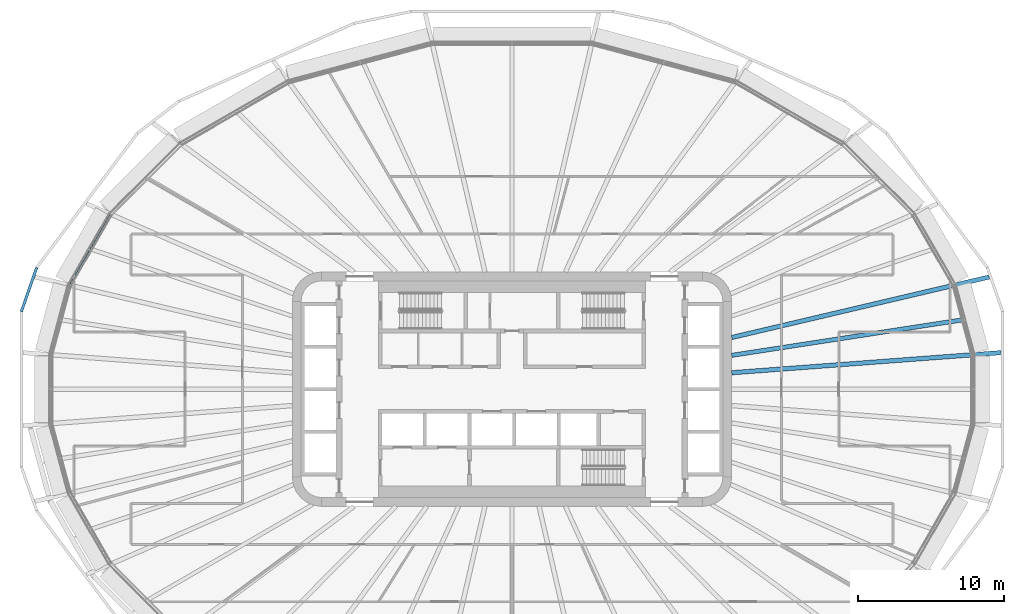
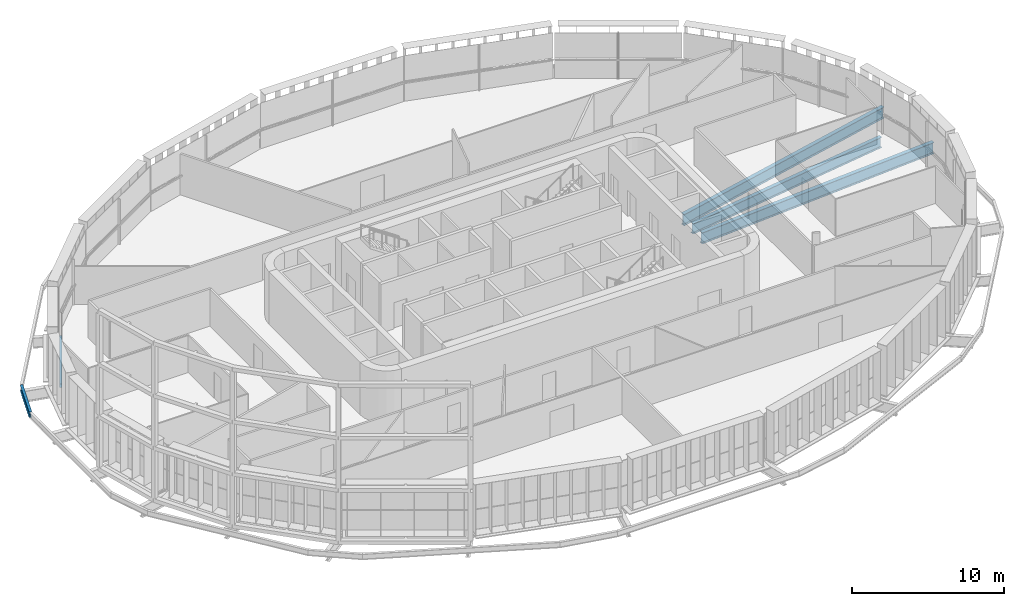
# One storey, part 6 of 25: 5 beams.
"""IFC4 building model written with IfcOpenShell, lengths in metres."""

from ifc_helpers import new_model, si_unit, direction, frame, origin, origin_2d, place, context, subcontext, project, spatial, i_section, extrude, material, material_profile, profile_set, type_object, element, save


model = new_model("IFC4")

# Units and contexts
model_context = context("Model", 3, precision=1e-05, world=origin(), true_north=direction((0.0, 1.0)))
body_context = subcontext(model_context, "Body", "Model", "MODEL_VIEW")
ifc_project = project(units=[si_unit("LENGTHUNIT", "METRE"), si_unit("AREAUNIT", "SQUARE_METRE"), si_unit("VOLUMEUNIT", "CUBIC_METRE"), si_unit("PLANEANGLEUNIT", "RADIAN"), si_unit("MASSUNIT", "GRAM", prefix="KILO")], contexts=[model_context])

# Site, building, storey
site_placement = place(None, origin())
site = spatial("IfcSite", under=ifc_project, at=site_placement, CompositionType="ELEMENT")
building_placement = place(site_placement, origin())
building = spatial("IfcBuilding", under=site, at=building_placement, Name="Sahrelin Media Tower", CompositionType="ELEMENT")
storey_placement = place(building_placement, frame((0.0, 0.0, 135.60009765625)))
storey = spatial("IfcBuildingStorey", under=building, at=storey_placement, Name="L27", CompositionType="ELEMENT", Elevation=135.60009765625)

# Beams
ifc_material = material(Name="Steel S355", Category="steel")
ifc_material_profile_1 = material_profile(ifc_material, i_section(OverallWidth=0.1650390625, OverallDepth=0.303466796875, WebThickness=0.006103515625, FlangeThickness=0.01025390625, FilletRadius=0.0087890625, at=origin_2d()), Name="UB 305x165x40")
ifc_profile_set_1 = profile_set([ifc_material_profile_1], Name="Steel S355")
beam_type_1 = type_object("IfcBeamType", Name="Edge beam EB2", PredefinedType="BEAM", material=ifc_profile_set_1)
beam_1_placement = place(storey_placement, frame((-30.15478515625, 7.07861328125, -0.3017578125), z_axis=(0.500036242679, 0.866004478053, 0.0), x_axis=(-0.866004478053, 0.500036242679, 0.0)))
element("IfcBeam", 1, at=beam_1_placement, inside=storey, type_object=beam_type_1, Name="Edge beam L27-15", PredefinedType="BEAM", context=body_context, shape_type="SweptSolid", body=[
    extrude(i_section(OverallWidth=0.1650390625, OverallDepth=0.303466796875, WebThickness=0.006103515625, FlangeThickness=0.01025390625, FilletRadius=0.0087890625, at=origin_2d()), origin(), (0.0, 0.0, 1.0), 5.544921875),
])
ifc_material_profile_2 = material_profile(ifc_material, i_section(OverallWidth=0.30322265625, OverallDepth=0.903076171875, WebThickness=0.01513671875, FlangeThickness=0.020263671875, FilletRadius=0.01904296875, at=origin_2d()), Name="UB 914x305x201")
ifc_profile_set_2 = profile_set([ifc_material_profile_2], Name="Steel S355")
beam_type_2 = type_object("IfcBeamType", Name="Radial primary beam PB11", PredefinedType="BEAM", material=ifc_profile_set_2)
beam_2_placement = place(storey_placement, frame((15.0, 1.120361328125, -0.6015625), z_axis=(0.997223267911, 0.074469818961, 0.0), x_axis=(-0.074469818961, 0.997223267911, 0.0)))
element("IfcBeam", 2, at=beam_2_placement, inside=storey, type_object=beam_type_2, Name="Radial beam L27-01", PredefinedType="BEAM", context=body_context, shape_type="SweptSolid", body=[
    extrude(i_section(OverallWidth=0.30322265625, OverallDepth=0.903076171875, WebThickness=0.01513671875, FlangeThickness=0.020263671875, FilletRadius=0.01904296875, at=origin_2d()), origin(), (0.0, 0.0, 1.0), 18.447509765625),
])
beam_3_placement = place(storey_placement, frame((15.0, 3.5263671875, -0.6015625), z_axis=(0.973459016424, 0.22886140641, 0.0), x_axis=(-0.22886140641, 0.973459016424, 0.0)))
element("IfcBeam", 3, at=beam_3_placement, inside=storey, type_object=beam_type_2, Name="Radial beam L27-02", PredefinedType="BEAM", context=body_context, shape_type="SweptSolid", body=[
    extrude(i_section(OverallWidth=0.30322265625, OverallDepth=0.903076171875, WebThickness=0.01513671875, FlangeThickness=0.020263671875, FilletRadius=0.01904296875, at=origin_2d()), origin(), (0.0, 0.0, 1.0), 18.049560546875),
])
ifc_material_profile_3 = material_profile(ifc_material, i_section(OverallWidth=0.291748046875, OverallDepth=0.8349609375, WebThickness=0.013916015625, FlangeThickness=0.018798828125, FilletRadius=0.017822265625, at=origin_2d()), Name="UB 838x292x176")
ifc_profile_set_3 = profile_set([ifc_material_profile_3], Name="Steel S355")
beam_type_3 = type_object("IfcBeamType", Name="Radial secondary beam SB10", PredefinedType="BEAM", material=ifc_profile_set_3)
beam_4_placement = place(storey_placement, frame((15.0, 2.308837890625, -0.567626953125), z_axis=(0.988359089309, 0.152139115876, 0.0), x_axis=(-0.152139115876, 0.988359089309, 0.0)))
element("IfcBeam", 4, at=beam_4_placement, inside=storey, type_object=beam_type_3, Name="Secondary beam L27-01", PredefinedType="BEAM", context=body_context, shape_type="SweptSolid", body=[
    extrude(i_section(OverallWidth=0.291748046875, OverallDepth=0.8349609375, WebThickness=0.013916015625, FlangeThickness=0.018798828125, FilletRadius=0.017822265625, at=origin_2d()), origin(), (0.0, 0.0, 1.0), 15.89794921875),
])
ifc_material_profile_4 = material_profile(ifc_material, i_section(OverallWidth=0.1904296875, OverallDepth=0.45703125, WebThickness=0.009033203125, FlangeThickness=0.014404296875, FilletRadius=0.01025390625, at=origin_2d()), Name="UB 457x191x74")
ifc_profile_set_4 = profile_set([ifc_material_profile_4], Name="Steel S355")
beam_type_4 = type_object("IfcBeamType", Name="Tie chord TC5", PredefinedType="BEAM", material=ifc_profile_set_4)
beam_5_placement = place(storey_placement, frame((-32.4482421875, 8.2978515625, -0.378662109375), z_axis=(-0.328804141521, -0.944398134538, 0.0), x_axis=(0.944398134538, -0.328804141521, 0.0)))
element("IfcBeam", 5, at=beam_5_placement, inside=storey, type_object=beam_type_4, Name="Tie chord L27-11", PredefinedType="BEAM", context=body_context, shape_type="SweptSolid", body=[
    extrude(i_section(OverallWidth=0.1904296875, OverallDepth=0.45703125, WebThickness=0.009033203125, FlangeThickness=0.014404296875, FilletRadius=0.01025390625, at=origin_2d()), origin(), (0.0, 0.0, 1.0), 3.1728515625),
])

save(model, "model.ifc")
